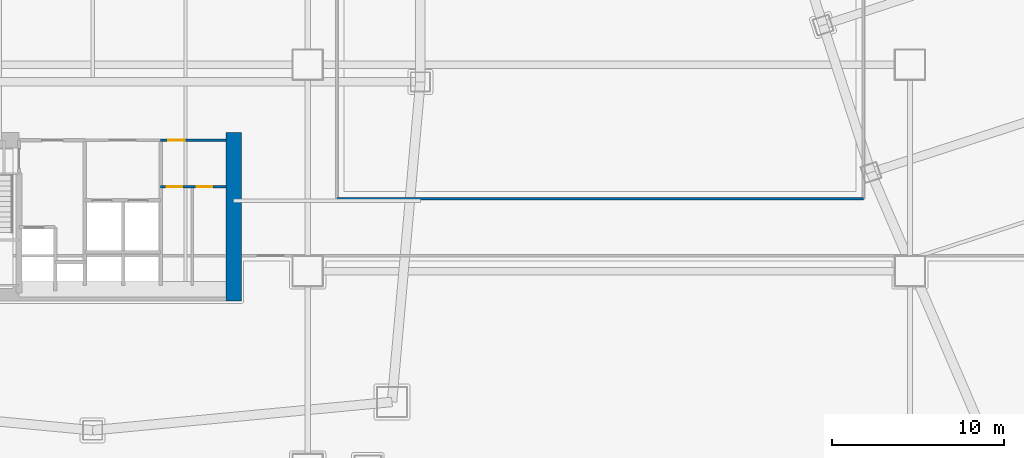
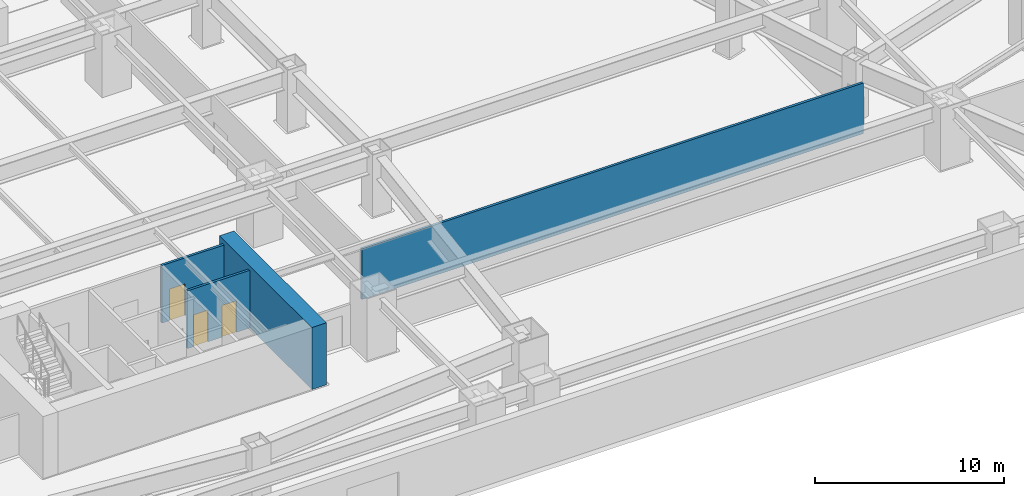
# One storey, part 15 of 25: 4 walls, 3 doors, 3 openings.
"""IFC4 building model written with IfcOpenShell, lengths in metres."""

from ifc_helpers import new_model, si_unit, direction, frame, frame_2d, origin, place, context, subcontext, project, spatial, rectangle, extrude, material, layer, layer_set, type_object, element, fill, save


model = new_model("IFC4")

# Units and contexts
model_context = context("Model", 3, precision=1e-05, world=origin(), true_north=direction((0.0, 1.0)))
body_context = subcontext(model_context, "Body", "Model", "MODEL_VIEW")
ifc_project = project(units=[si_unit("LENGTHUNIT", "METRE"), si_unit("AREAUNIT", "SQUARE_METRE"), si_unit("VOLUMEUNIT", "CUBIC_METRE"), si_unit("PLANEANGLEUNIT", "RADIAN"), si_unit("MASSUNIT", "GRAM", prefix="KILO")], contexts=[model_context])

# Site, building, storey
site_placement = place(None, origin())
site = spatial("IfcSite", under=ifc_project, at=site_placement, CompositionType="ELEMENT")
building_placement = place(site_placement, origin())
building = spatial("IfcBuilding", under=site, at=building_placement, Name="Qiaolan Cultural Towers", CompositionType="ELEMENT")
storey_placement = place(building_placement, frame((0.0, 0.0, 22.0)))
storey = spatial("IfcBuildingStorey", under=building, at=storey_placement, Name="L04", CompositionType="ELEMENT", Elevation=22.0)

# Wall
ifc_material_1 = material(Name="Concrete C60", Category="concrete")
ifc_layer_1 = layer(ifc_material_1, 0.89990234375)
ifc_layer_set_1 = layer_set([ifc_layer_1], Name="Concrete C60")
wall_type_1 = type_object("IfcWallType", Name="WL-CORE-900", PredefinedType="SHEAR", material=ifc_layer_set_1)
wall_1_placement = place(storey_placement, frame((38.199951171875, 22.050048828125, 0.0), z_axis=(0.0, 0.0, 1.0), x_axis=(0.0, -1.0, 0.0)))
element("IfcWall", 1, at=wall_1_placement, inside=storey, type_object=wall_type_1, Name="L04 T1-CS East Core Shear Wall", PredefinedType="SHEAR", context=body_context, shape_type="SweptSolid", body=[
    extrude(rectangle(XDim=9.780029296875, YDim=0.89990234375, at=frame_2d((4.89013671875, 0.0))), origin(), (0.0, 0.0, 1.0), 4.0),
])

# Wall, opening, door
ifc_material_2 = material(Name="Autoclaved Aerated Concrete Block B06", Category="concrete")
ifc_layer_2 = layer(ifc_material_2, 0.14990234375)
ifc_layer_set_2 = layer_set([ifc_layer_2], Name="Autoclaved Aerated Concrete Block B06")
wall_type_2 = type_object("IfcWallType", Name="WL-PART-150", PredefinedType="PARTITIONING", material=ifc_layer_set_2)
wall_2_placement = place(storey_placement, frame((33.949951171875, 21.60009765625, 0.0), z_axis=(0.0, 0.0, 1.0), x_axis=(1.0, 0.0, 0.0)))
wall_2 = element("IfcWall", 2, at=wall_2_placement, inside=storey, type_object=wall_type_2, Name="L04 T1-CS Sanitary Core Front Wall", PredefinedType="PARTITIONING", context=body_context, shape_type="SweptSolid", body=[
    extrude(rectangle(XDim=3.800048828125, YDim=0.14990234375, at=frame_2d((1.89990234375, 0.0))), origin(), (0.0, 0.0, 1.0), 3.72509765625),
])
opening_1_placement = place(wall_2_placement, frame((0.449951171875, 0.0, 0.0)))
opening_1 = element("IfcOpeningElement", 3, at=opening_1_placement, cuts=wall_2, Name="Opening ID-05", PredefinedType="OPENING", context=body_context, shape_type="SweptSolid", body=[
    extrude(rectangle(XDim=0.949951171875, YDim=2.050048828125, at=frame_2d((0.47509765625, 1.02490234375))), frame((0.0, 0.0849609375, 0.0), z_axis=(0.0, -1.0, 0.0), x_axis=(1.0, 0.0, 0.0)), (0.0, 0.0, 1.0), 0.169921875),
])
ifc_material_3 = material(Name="Fire-Rated Laminate Accessible Core Door", Category="timber")
door_type_1 = type_object("IfcDoorType", Name="DR-INT-950", OperationType="NOTDEFINED", PredefinedType="DOOR", material=ifc_material_3)
door_1_placement = place(opening_1_placement, origin())
door_1 = element("IfcDoor", 4, at=door_1_placement, inside=storey, type_object=door_type_1, Name="L04 Sanitary Vestibule Door", OperationType="SINGLE_SWING_LEFT", OverallHeight=2.050048828125, OverallWidth=0.949951171875, PredefinedType="DOOR", context=body_context, shape_type="SweptSolid", body=[
    extrude(rectangle(XDim=0.949951171875, YDim=2.050048828125, at=frame_2d((0.47509765625, 1.02490234375))), frame((0.0, 0.02490234375, 0.0), z_axis=(0.0, -1.0, 0.0), x_axis=(1.0, 0.0, 0.0)), (0.0, 0.0, 1.0), 0.050048828125),
])
fill(opening_1, door_1)

# Wall, openings, doors
wall_3_placement = place(storey_placement, frame((33.949951171875, 18.89990234375, 0.0), z_axis=(0.0, 0.0, 1.0), x_axis=(1.0, 0.0, 0.0)))
wall_3 = element("IfcWall", 5, at=wall_3_placement, inside=storey, type_object=wall_type_2, Name="L04 T1-CS Restroom Vestibule Wall", PredefinedType="PARTITIONING", context=body_context, shape_type="SweptSolid", body=[
    extrude(rectangle(XDim=3.800048828125, YDim=0.14990234375, at=frame_2d((1.89990234375, 0.0))), origin(), (0.0, 0.0, 1.0), 3.72509765625),
])
opening_2_placement = place(wall_3_placement, frame((0.35009765625, 0.0, 0.0)))
opening_2 = element("IfcOpeningElement", 6, at=opening_2_placement, cuts=wall_3, Name="Opening ID-06", PredefinedType="OPENING", context=body_context, shape_type="SweptSolid", body=[
    extrude(rectangle(XDim=0.89990234375, YDim=2.050048828125, at=frame_2d((0.449951171875, 1.02490234375))), frame((0.0, 0.0849609375, 0.0), z_axis=(0.0, -1.0, 0.0), x_axis=(1.0, 0.0, 0.0)), (0.0, 0.0, 1.0), 0.169921875),
])
opening_3_placement = place(wall_3_placement, frame((2.10009765625, 0.0, 0.0)))
opening_3 = element("IfcOpeningElement", 7, at=opening_3_placement, cuts=wall_3, Name="Opening ID-06", PredefinedType="OPENING", context=body_context, shape_type="SweptSolid", body=[
    extrude(rectangle(XDim=0.89990234375, YDim=2.050048828125, at=frame_2d((0.449951171875, 1.02490234375))), frame((0.0, 0.0849609375, 0.0), z_axis=(0.0, -1.0, 0.0), x_axis=(1.0, 0.0, 0.0)), (0.0, 0.0, 1.0), 0.169921875),
])
ifc_material_4 = material(Name="Fire-Rated Laminate Core Service Door", Category="timber")
door_type_2 = type_object("IfcDoorType", Name="DR-INT-900", OperationType="NOTDEFINED", PredefinedType="DOOR", material=ifc_material_4)
door_2_placement = place(opening_2_placement, origin())
door_2 = element("IfcDoor", 8, at=door_2_placement, inside=storey, type_object=door_type_2, Name="L04 Men Restroom Door", OperationType="SINGLE_SWING_LEFT", OverallHeight=2.050048828125, OverallWidth=0.89990234375, PredefinedType="DOOR", context=body_context, shape_type="SweptSolid", body=[
    extrude(rectangle(XDim=0.89990234375, YDim=2.050048828125, at=frame_2d((0.449951171875, 1.02490234375))), frame((0.0, 0.02490234375, 0.0), z_axis=(0.0, -1.0, 0.0), x_axis=(1.0, 0.0, 0.0)), (0.0, 0.0, 1.0), 0.050048828125),
])
fill(opening_2, door_2)
door_3_placement = place(opening_3_placement, origin())
door_3 = element("IfcDoor", 9, at=door_3_placement, inside=storey, type_object=door_type_2, Name="L04 Accessible & Women Restroom Door", OperationType="SINGLE_SWING_RIGHT", OverallHeight=2.050048828125, OverallWidth=0.89990234375, PredefinedType="DOOR", context=body_context, shape_type="SweptSolid", body=[
    extrude(rectangle(XDim=0.89990234375, YDim=2.050048828125, at=frame_2d((0.449951171875, 1.02490234375))), frame((0.0, 0.02490234375, 0.0), z_axis=(0.0, -1.0, 0.0), x_axis=(1.0, 0.0, 0.0)), (0.0, 0.0, 1.0), 0.050048828125),
])
fill(opening_3, door_3)

# Wall
wall_4_placement = place(storey_placement, frame((44.199951171875, 18.199951171875, 0.0), z_axis=(0.0, 0.0, 1.0), x_axis=(1.0, 0.0, 0.0)))
element("IfcWall", 10, at=wall_4_placement, inside=storey, type_object=wall_type_2, Name="L04 Podium Partition L04-DS", PredefinedType="PARTITIONING", context=body_context, shape_type="SweptSolid", body=[
    extrude(rectangle(XDim=30.60009765625, YDim=0.14990234375, at=frame_2d((15.300048828125, 0.0))), origin(), (0.0, 0.0, 1.0), 3.264892578125),
])

save(model, "model.ifc")
